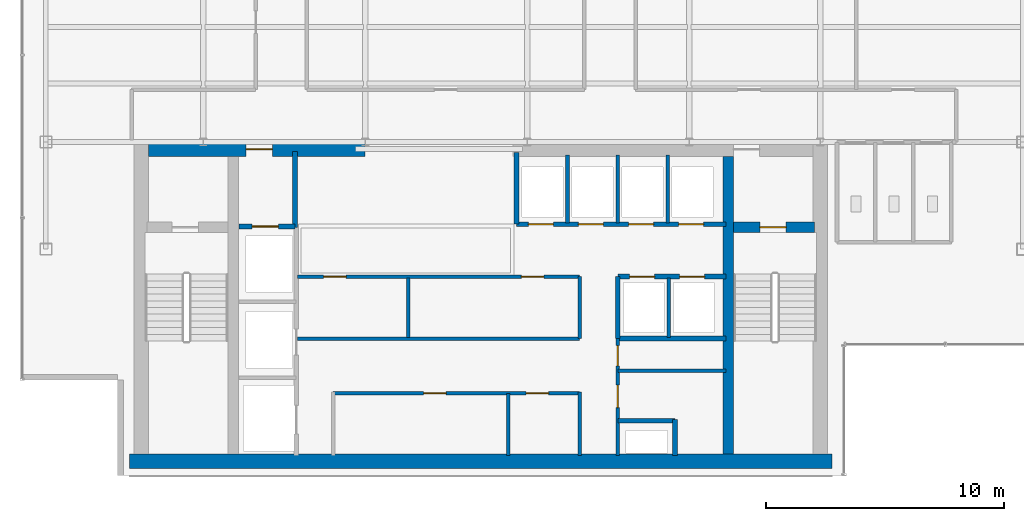
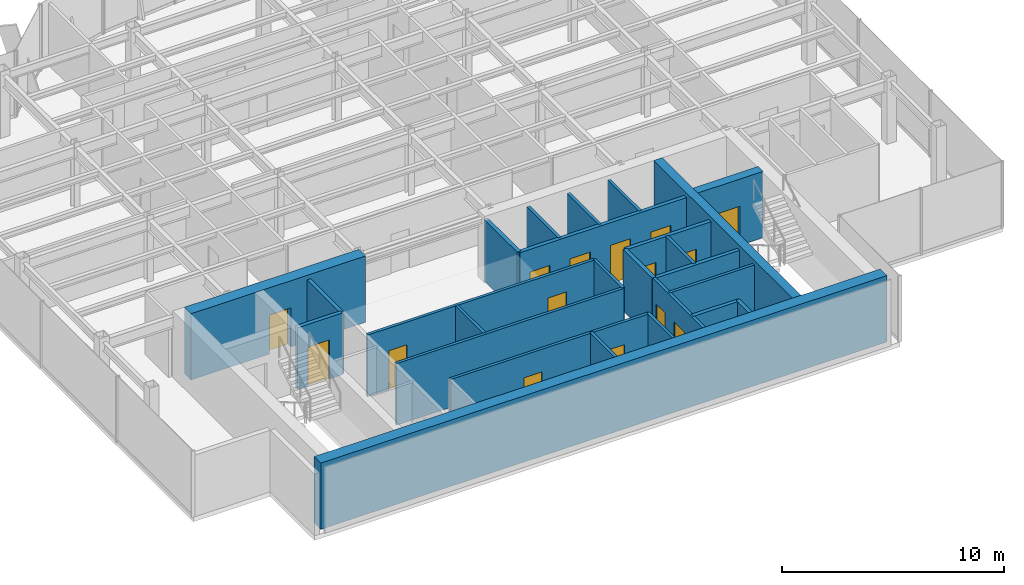
# One storey, part 17 of 22: 26 walls, 15 doors, 15 openings.
"""IFC4 building model written with IfcOpenShell, lengths in metres."""

from ifc_helpers import new_model, si_unit, derived_unit, direction, frame, frame_2d, origin, place, context, subcontext, project, spatial, rectangle, extrude, source, transform, mapped, material, layer, layer_set, type_object, element, fill, save


model = new_model("IFC4")

# Units and contexts
model_context = context("Model", 3, precision=1e-05, world=origin(), true_north=direction((0.0, 1.0)))
body_context = subcontext(model_context, "Body", "Model", "MODEL_VIEW")
ifc_project = project(units=[si_unit("LENGTHUNIT", "METRE"), si_unit("AREAUNIT", "SQUARE_METRE"), si_unit("VOLUMEUNIT", "CUBIC_METRE"), si_unit("PLANEANGLEUNIT", "RADIAN"), si_unit("MASSUNIT", "GRAM", prefix="KILO"), derived_unit("THERMALTRANSMITTANCEUNIT", [(si_unit("POWERUNIT", "WATT"), 1), (si_unit("LENGTHUNIT", "METRE"), -2), (si_unit("THERMODYNAMICTEMPERATUREUNIT", "KELVIN"), -1)])], contexts=[model_context])

# Site, building, storey
site_placement = place(None, origin())
site = spatial("IfcSite", under=ifc_project, at=site_placement, CompositionType="ELEMENT")
building_placement = place(site_placement, origin())
building = spatial("IfcBuilding", under=site, at=building_placement, Name="Skarnbrae Concourse Arena and Tower", CompositionType="ELEMENT")
storey_placement = place(building_placement, frame((0.0, 0.0, 277.050048828125)))
storey = spatial("IfcBuildingStorey", under=building, at=storey_placement, Name="L72", CompositionType="ELEMENT", Elevation=277.050048828125)

# Wall, opening, door
ifc_material_1 = material(Name="Concrete 50 MPa (C50/60)", Category="concrete")
ifc_layer_1 = layer(ifc_material_1, 0.449951171875)
ifc_layer_set_1 = layer_set([ifc_layer_1], Name="Concrete 50 MPa (C50/60)")
wall_type_1 = type_object("IfcWallType", Name="WALL-CORE-450-C50", PredefinedType="SHEAR", material=ifc_layer_set_1)
shared_shape_1 = source(origin(), body_context, "Body", "SweptSolid", [
    extrude(rectangle(XDim=3.389892578125, YDim=0.449951171875, at=frame_2d((1.69482421875, 0.0))), origin(), (0.0, 0.0, 1.0), 3.64990234375),
])
wall_1_placement = place(storey_placement, frame((29.860107421875, 10.419921875, 0.0), z_axis=(0.0, 0.0, 1.0), x_axis=(1.0, 0.0, 0.0)))
wall_1 = element("IfcWall", 1, at=wall_1_placement, inside=storey, type_object=wall_type_1, Name="L72 Rear core shear wall CW-ST2-N", PredefinedType="SHEAR", context=body_context, shape_type="MappedRepresentation", body=[
    mapped(shared_shape_1, transform((0.0, 0.0, 0.0))),
])
opening_1_placement = place(wall_1_placement, frame((1.10009765625, 0.0, 0.0)))
opening_1 = element("IfcOpeningElement", 2, at=opening_1_placement, cuts=wall_1, Name="Opening DT-03", PredefinedType="OPENING", context=body_context, shape_type="SweptSolid", body=[
    extrude(rectangle(XDim=1.10009765625, YDim=2.14990234375, at=frame_2d((0.550048828125, 1.074951171875))), frame((0.0, 0.23486328125, 0.0), z_axis=(0.0, -1.0, 0.0), x_axis=(1.0, 0.0, 0.0)), (0.0, 0.0, 1.0), 0.469970703125),
])
ifc_material_2 = material(Name="Steel CSA G40.21 350W", Category="steel")
door_type_1 = type_object("IfcDoorType", Name="DOOR-FIRE-1100-90M", OperationType="NOTDEFINED", PredefinedType="DOOR", material=ifc_material_2)
shared_shape_2 = source(origin(), body_context, "Body", "SweptSolid", [
    extrude(rectangle(XDim=1.10009765625, YDim=2.14990234375, at=frame_2d((0.550048828125, 1.074951171875))), frame((0.0, 0.02490234375, 0.0), z_axis=(0.0, -1.0, 0.0), x_axis=(1.0, 0.0, 0.0)), (0.0, 0.0, 1.0), 0.050048828125),
])
door_1_placement = place(opening_1_placement, frame((1.10009765625, 0.0, 0.0), z_axis=(0.0, 0.0, 1.0), x_axis=(-1.0, 0.0, 0.0)))
door_1 = element("IfcDoor", 3, at=door_1_placement, inside=storey, type_object=door_type_1, Name="D-2171 Stair ST-2 Door", OperationType="SINGLE_SWING_RIGHT", OverallHeight=2.14990234375, OverallWidth=1.10009765625, PredefinedType="DOOR", context=body_context, shape_type="MappedRepresentation", body=[
    mapped(shared_shape_2, transform((0.0, 0.0, 0.0))),
])
fill(opening_1, door_1)

# Wall
ifc_layer_2 = layer(ifc_material_1, 0.60009765625)
ifc_layer_set_2 = layer_set([ifc_layer_2], Name="Concrete 50 MPa (C50/60)")
wall_type_2 = type_object("IfcWallType", Name="WALL-CORE-600-C50", PredefinedType="SHEAR", material=ifc_layer_set_2)
shared_shape_3 = source(origin(), body_context, "Body", "SweptSolid", [
    extrude(rectangle(XDim=29.5, YDim=0.60009765625, at=frame_2d((14.75, 0.0))), origin(), (0.0, 0.0, 1.0), 3.64990234375),
])
wall_2_placement = place(storey_placement, frame((4.5, 0.60009765625, 0.0), z_axis=(0.0, 0.0, 1.0), x_axis=(1.0, 0.0, 0.0)))
element("IfcWall", 4, at=wall_2_placement, inside=storey, type_object=wall_type_2, Name="L72 Rear core shear wall CW-S", PredefinedType="SHEAR", context=body_context, shape_type="MappedRepresentation", body=[
    mapped(shared_shape_3, transform((0.0, 0.0, 0.0))),
])

# Wall, opening, door
shared_shape_4 = source(origin(), body_context, "Body", "SweptSolid", [
    extrude(rectangle(XDim=9.099853515625, YDim=0.60009765625, at=frame_2d((4.5498046875, 0.0))), origin(), (0.0, 0.0, 1.0), 3.64990234375),
])
wall_3_placement = place(storey_placement, frame((5.300048828125, 13.699951171875, 0.0), z_axis=(0.0, 0.0, 1.0), x_axis=(1.0, 0.0, 0.0)))
wall_3 = element("IfcWall", 5, at=wall_3_placement, inside=storey, type_object=wall_type_2, Name="L72 Rear core shear wall CW-NW", PredefinedType="SHEAR", context=body_context, shape_type="MappedRepresentation", body=[
    mapped(shared_shape_4, transform((0.0, 0.0, 0.0))),
])
opening_2_placement = place(wall_3_placement, frame((4.10009765625, 0.0, 0.0)))
opening_2 = element("IfcOpeningElement", 6, at=opening_2_placement, cuts=wall_3, Name="Opening DT-03", PredefinedType="OPENING", context=body_context, shape_type="SweptSolid", body=[
    extrude(rectangle(XDim=1.10009765625, YDim=2.14990234375, at=frame_2d((0.550048828125, 1.074951171875))), frame((0.0, 0.31005859375, 0.0), z_axis=(0.0, -1.0, 0.0), x_axis=(1.0, 0.0, 0.0)), (0.0, 0.0, 1.0), 0.6201171875),
])
door_2_placement = place(opening_2_placement, origin())
door_2 = element("IfcDoor", 7, at=door_2_placement, inside=storey, type_object=door_type_1, Name="D-2172 Firefighting Lobby Exit Door", OperationType="SINGLE_SWING_RIGHT", OverallHeight=2.14990234375, OverallWidth=1.10009765625, PredefinedType="DOOR", context=body_context, shape_type="MappedRepresentation", body=[
    mapped(shared_shape_2, transform((0.0, 0.0, 0.0))),
])
fill(opening_2, door_2)

# Walls
shared_shape_5 = source(origin(), body_context, "Body", "SweptSolid", [
    extrude(rectangle(XDim=12.5, YDim=0.449951171875, at=frame_2d((6.25, 0.0))), origin(), (0.0, 0.0, 1.0), 3.64990234375),
])
wall_4_placement = place(storey_placement, frame((29.635009765625, 0.89990234375, 0.0), z_axis=(0.0, 0.0, 1.0), x_axis=(0.0, 1.0, 0.0)))
element("IfcWall", 8, at=wall_4_placement, inside=storey, type_object=wall_type_1, Name="L72 Rear core shear wall CW-WEB-E", PredefinedType="SHEAR", context=body_context, shape_type="MappedRepresentation", body=[
    mapped(shared_shape_5, transform((0.0, 0.0, 0.0))),
])
ifc_material_3 = material(Name="Gypsum board on cold-formed steel studs", Category="steel")
ifc_layer_3 = layer(ifc_material_3, 0.199951171875)
ifc_layer_set_3 = layer_set([ifc_layer_3], Name="Gypsum board on cold-formed steel studs")
wall_type_3 = type_object("IfcWallType", Name="WALL-PART-200-2HR", PredefinedType="PARTITIONING", material=ifc_layer_set_3)
shared_shape_6 = source(origin(), body_context, "Body", "SweptSolid", [
    extrude(rectangle(XDim=3.18017578125, YDim=0.199951171875, at=frame_2d((1.590087890625, 0.0))), origin(), (0.0, 0.0, 1.0), 3.39990234375),
])
wall_5_placement = place(storey_placement, frame((11.449951171875, 10.419921875, 0.0), z_axis=(0.0, 0.0, 1.0), x_axis=(0.0, 1.0, 0.0)))
element("IfcWall", 9, at=wall_5_placement, inside=storey, type_object=wall_type_3, Name="L72 Interior partition wall W-L72-FFL-E", PredefinedType="PARTITIONING", context=body_context, shape_type="MappedRepresentation", body=[
    mapped(shared_shape_6, transform((0.0, 0.0, 0.0))),
])

# Wall, opening, door
shared_shape_7 = source(origin(), body_context, "Body", "SweptSolid", [
    extrude(rectangle(XDim=2.349853515625, YDim=0.199951171875, at=frame_2d((1.1748046875, 0.0))), origin(), (0.0, 0.0, 1.0), 3.39990234375),
])
wall_6_placement = place(storey_placement, frame((9.10009765625, 10.449951171875, 0.0), z_axis=(0.0, 0.0, 1.0), x_axis=(1.0, 0.0, 0.0)))
wall_6 = element("IfcWall", 10, at=wall_6_placement, inside=storey, type_object=wall_type_3, Name="L72 Interior partition wall W-L72-FL1-N", PredefinedType="PARTITIONING", context=body_context, shape_type="MappedRepresentation", body=[
    mapped(shared_shape_7, transform((0.0, 0.0, 0.0))),
])
opening_3_placement = place(wall_6_placement, frame((0.550048828125, 0.0, 0.0)))
opening_3 = element("IfcOpeningElement", 11, at=opening_3_placement, cuts=wall_6, Name="Opening LD-01", PredefinedType="OPENING", context=body_context, shape_type="SweptSolid", body=[
    extrude(rectangle(XDim=1.10009765625, YDim=2.14990234375, at=frame_2d((0.550048828125, 1.074951171875))), frame((0.0, 0.10986328125, 0.0), z_axis=(0.0, -1.0, 0.0), x_axis=(1.0, 0.0, 0.0)), (0.0, 0.0, 1.0), 0.219970703125),
])
door_type_2 = type_object("IfcDoorType", Name="DOOR-LIFT-SLIDE-1100", OperationType="SLIDING_TO_LEFT", PredefinedType="DOOR", material=ifc_material_2)
door_3_placement = place(opening_3_placement, origin())
door_3 = element("IfcDoor", 12, at=door_3_placement, inside=storey, type_object=door_type_2, Name="D-2174 Firefighting Lift Landing Door FL-01", OperationType="SLIDING_TO_LEFT", OverallHeight=2.14990234375, OverallWidth=1.10009765625, PredefinedType="DOOR", context=body_context, shape_type="MappedRepresentation", body=[
    mapped(shared_shape_2, transform((0.0, 0.0, 0.0))),
])
fill(opening_3, door_3)

# Walls
ifc_layer_4 = layer(ifc_material_3, 0.14990234375)
ifc_layer_set_4 = layer_set([ifc_layer_4], Name="Gypsum board on cold-formed steel studs")
wall_type_4 = type_object("IfcWallType", Name="WALL-PART-150", PredefinedType="PARTITIONING", material=ifc_layer_set_4)
shared_shape_8 = source(origin(), body_context, "Body", "SweptSolid", [
    extrude(rectangle(XDim=2.599853515625, YDim=0.14990234375, at=frame_2d((1.2998046875, 0.0))), origin(), (0.0, 0.0, 1.0), 3.39990234375),
])
wall_7_placement = place(storey_placement, frame((20.39990234375, 0.85009765625, 0.0), z_axis=(0.0, 0.0, 1.0), x_axis=(0.0, 1.0, 0.0)))
element("IfcWall", 13, at=wall_7_placement, inside=storey, type_object=wall_type_4, Name="L72 Interior partition wall W-L72-B1M-C1", PredefinedType="PARTITIONING", context=body_context, shape_type="MappedRepresentation", body=[
    mapped(shared_shape_8, transform((0.0, 0.0, 0.0))),
])
shared_shape_9 = source(origin(), body_context, "Body", "SweptSolid", [
    extrude(rectangle(XDim=2.60009765625, YDim=0.199951171875, at=frame_2d((1.300048828125, 0.0))), origin(), (0.0, 0.0, 1.0), 3.39990234375),
])
wall_8_placement = place(storey_placement, frame((25.0, 5.75, 0.0), z_axis=(0.0, 0.0, 1.0), x_axis=(0.0, 1.0, 0.0)))
element("IfcWall", 14, at=wall_8_placement, inside=storey, type_object=wall_type_3, Name="L72 Interior partition wall W-L72-B3S-W", PredefinedType="PARTITIONING", context=body_context, shape_type="MappedRepresentation", body=[
    mapped(shared_shape_9, transform((0.0, 0.0, 0.0))),
])
shared_shape_10 = source(origin(), body_context, "Body", "SweptSolid", [
    extrude(rectangle(XDim=2.5, YDim=0.14990234375, at=frame_2d((1.25, 0.0))), origin(), (0.0, 0.0, 1.0), 3.39990234375),
])
for number, where, z_axis, x_axis, name in (
    (15, (16.199951171875, 5.800048828125, 0.0), (0.0, 0.0, 1.0), (0.0, 1.0, 0.0), "L72 Interior partition wall W-L72-B2M-MID"),
    (16, (27.139892578125, 5.800048828125, 0.0), (0.0, 0.0, 1.0), (0.0, 1.0, 0.0), "L72 Interior partition wall W-L72-B3S-P1"),
):
    element("IfcWall", number, at=place(storey_placement, frame(where, z_axis=z_axis, x_axis=x_axis)), inside=storey, type_object=wall_type_4, Name=name, PredefinedType="PARTITIONING", context=body_context, shape_type="MappedRepresentation", body=[
        mapped(shared_shape_10, transform((0.0, 0.0, 0.0))),
    ])

# Wall, openings, doors
shared_shape_11 = source(origin(), body_context, "Body", "SweptSolid", [
    extrude(rectangle(XDim=8.800048828125, YDim=0.199951171875, at=frame_2d((4.39990234375, 0.0))), origin(), (0.0, 0.0, 1.0), 3.39990234375),
])
wall_9_placement = place(storey_placement, frame((20.75, 10.550048828125, 0.0), z_axis=(0.0, 0.0, 1.0), x_axis=(1.0, 0.0, 0.0)))
wall_9 = element("IfcWall", 17, at=wall_9_placement, inside=storey, type_object=wall_type_3, Name="L72 Interior partition wall W-L72-B3N-S", PredefinedType="PARTITIONING", context=body_context, shape_type="MappedRepresentation", body=[
    mapped(shared_shape_11, transform((0.0, 0.0, 0.0))),
])
opening_4_placement = place(wall_9_placement, frame((0.5, 0.0, 0.0)))
opening_4 = element("IfcOpeningElement", 18, at=opening_4_placement, cuts=wall_9, Name="Opening LD-04", PredefinedType="OPENING", context=body_context, shape_type="SweptSolid", body=[
    extrude(rectangle(XDim=1.050048828125, YDim=2.14990234375, at=frame_2d((0.52490234375, 1.074951171875))), frame((0.0, 0.10986328125, 0.0), z_axis=(0.0, -1.0, 0.0), x_axis=(1.0, 0.0, 0.0)), (0.0, 0.0, 1.0), 0.219970703125),
])
opening_5_placement = place(wall_9_placement, frame((2.60009765625, 0.0, 0.0)))
opening_5 = element("IfcOpeningElement", 19, at=opening_5_placement, cuts=wall_9, Name="Opening LD-04", PredefinedType="OPENING", context=body_context, shape_type="SweptSolid", body=[
    extrude(rectangle(XDim=1.050048828125, YDim=2.14990234375, at=frame_2d((0.52490234375, 1.074951171875))), frame((0.0, 0.10986328125, 0.0), z_axis=(0.0, -1.0, 0.0), x_axis=(1.0, 0.0, 0.0)), (0.0, 0.0, 1.0), 0.219970703125),
])
opening_6_placement = place(wall_9_placement, frame((4.699951171875, 0.0, 0.0)))
opening_6 = element("IfcOpeningElement", 20, at=opening_6_placement, cuts=wall_9, Name="Opening LD-04", PredefinedType="OPENING", context=body_context, shape_type="SweptSolid", body=[
    extrude(rectangle(XDim=1.050048828125, YDim=2.14990234375, at=frame_2d((0.52490234375, 1.074951171875))), frame((0.0, 0.10986328125, 0.0), z_axis=(0.0, -1.0, 0.0), x_axis=(1.0, 0.0, 0.0)), (0.0, 0.0, 1.0), 0.219970703125),
])
opening_7_placement = place(wall_9_placement, frame((6.800048828125, 0.0, 0.0)))
opening_7 = element("IfcOpeningElement", 21, at=opening_7_placement, cuts=wall_9, Name="Opening LD-04", PredefinedType="OPENING", context=body_context, shape_type="SweptSolid", body=[
    extrude(rectangle(XDim=1.050048828125, YDim=2.14990234375, at=frame_2d((0.52490234375, 1.074951171875))), frame((0.0, 0.10986328125, 0.0), z_axis=(0.0, -1.0, 0.0), x_axis=(1.0, 0.0, 0.0)), (0.0, 0.0, 1.0), 0.219970703125),
])
ifc_material_4 = material(Name="Bronze anodised aluminium 6063-T6", Category="aluminium")
door_type_3 = type_object("IfcDoorType", Name="DOOR-LIFT-SLIDE-1050H", OperationType="SLIDING_TO_LEFT", PredefinedType="DOOR", material=ifc_material_4)
shared_shape_12 = source(origin(), body_context, "Body", "SweptSolid", [
    extrude(rectangle(XDim=1.050048828125, YDim=2.14990234375, at=frame_2d((0.52490234375, 1.074951171875))), frame((0.0, 0.02490234375, 0.0), z_axis=(0.0, -1.0, 0.0), x_axis=(1.0, 0.0, 0.0)), (0.0, 0.0, 1.0), 0.050048828125),
])
door_4_placement = place(opening_4_placement, frame((1.050048828125, 0.0, 0.0), z_axis=(0.0, 0.0, 1.0), x_axis=(-1.0, 0.0, 0.0)))
door_4 = element("IfcDoor", 22, at=door_4_placement, inside=storey, type_object=door_type_3, Name="D-2181 Passenger Lift Landing Door PL-3A", OperationType="SLIDING_TO_LEFT", OverallHeight=2.14990234375, OverallWidth=1.050048828125, PredefinedType="DOOR", context=body_context, shape_type="MappedRepresentation", body=[
    mapped(shared_shape_12, transform((0.0, 0.0, 0.0))),
])
fill(opening_4, door_4)
door_5_placement = place(opening_5_placement, frame((1.050048828125, 0.0, 0.0), z_axis=(0.0, 0.0, 1.0), x_axis=(-1.0, 0.0, 0.0)))
door_5 = element("IfcDoor", 23, at=door_5_placement, inside=storey, type_object=door_type_3, Name="D-2182 Passenger Lift Landing Door PL-3B", OperationType="SLIDING_TO_LEFT", OverallHeight=2.14990234375, OverallWidth=1.050048828125, PredefinedType="DOOR", context=body_context, shape_type="MappedRepresentation", body=[
    mapped(shared_shape_12, transform((0.0, 0.0, 0.0))),
])
fill(opening_5, door_5)
door_6_placement = place(opening_6_placement, frame((1.050048828125, 0.0, 0.0), z_axis=(0.0, 0.0, 1.0), x_axis=(-1.0, 0.0, 0.0)))
door_6 = element("IfcDoor", 24, at=door_6_placement, inside=storey, type_object=door_type_3, Name="D-2183 Passenger Lift Landing Door PL-3C", OperationType="SLIDING_TO_LEFT", OverallHeight=2.14990234375, OverallWidth=1.050048828125, PredefinedType="DOOR", context=body_context, shape_type="MappedRepresentation", body=[
    mapped(shared_shape_12, transform((0.0, 0.0, 0.0))),
])
fill(opening_6, door_6)
door_7_placement = place(opening_7_placement, frame((1.050048828125, 0.0, 0.0), z_axis=(0.0, 0.0, 1.0), x_axis=(-1.0, 0.0, 0.0)))
door_7 = element("IfcDoor", 25, at=door_7_placement, inside=storey, type_object=door_type_3, Name="D-2184 Passenger Lift Landing Door PL-3D", OperationType="SLIDING_TO_LEFT", OverallHeight=2.14990234375, OverallWidth=1.050048828125, PredefinedType="DOOR", context=body_context, shape_type="MappedRepresentation", body=[
    mapped(shared_shape_12, transform((0.0, 0.0, 0.0))),
])
fill(opening_7, door_7)

# Walls
shared_shape_13 = source(origin(), body_context, "Body", "SweptSolid", [
    extrude(rectangle(XDim=3.0, YDim=0.199951171875, at=frame_2d((1.5, 0.0))), origin(), (0.0, 0.0, 1.0), 3.39990234375),
])
wall_10_placement = place(storey_placement, frame((20.75, 10.550048828125, 0.0), z_axis=(0.0, 0.0, 1.0), x_axis=(0.0, 1.0, 0.0)))
element("IfcWall", 26, at=wall_10_placement, inside=storey, type_object=wall_type_3, Name="L72 Interior partition wall W-L72-B3N-W", PredefinedType="PARTITIONING", context=body_context, shape_type="MappedRepresentation", body=[
    mapped(shared_shape_13, transform((0.0, 0.0, 0.0))),
])
shared_shape_14 = source(origin(), body_context, "Body", "SweptSolid", [
    extrude(rectangle(XDim=2.849853515625, YDim=0.14990234375, at=frame_2d((1.4248046875, 0.0))), origin(), (0.0, 0.0, 1.0), 3.39990234375),
])
for number, where, z_axis, x_axis, name in (
    (27, (22.889892578125, 10.60009765625, 0.0), (0.0, 0.0, 1.0), (0.0, 1.0, 0.0), "L72 Interior partition wall W-L72-B3N-P1"),
    (28, (24.989990234375, 10.60009765625, 0.0), (0.0, 0.0, 1.0), (0.0, 1.0, 0.0), "L72 Interior partition wall W-L72-B3N-P2"),
    (29, (27.090087890625, 10.60009765625, 0.0), (0.0, 0.0, 1.0), (0.0, 1.0, 0.0), "L72 Interior partition wall W-L72-B3N-P3"),
):
    element("IfcWall", number, at=place(storey_placement, frame(where, z_axis=z_axis, x_axis=x_axis)), inside=storey, type_object=wall_type_4, Name=name, PredefinedType="PARTITIONING", context=body_context, shape_type="MappedRepresentation", body=[
        mapped(shared_shape_14, transform((0.0, 0.0, 0.0))),
    ])

# Wall, openings, doors
shared_shape_15 = source(origin(), body_context, "Body", "SweptSolid", [
    extrude(rectangle(XDim=4.550048828125, YDim=0.199951171875, at=frame_2d((2.27490234375, 0.0))), origin(), (0.0, 0.0, 1.0), 3.39990234375),
])
wall_11_placement = place(storey_placement, frame((25.0, 8.35009765625, 0.0), z_axis=(0.0, 0.0, 1.0), x_axis=(1.0, 0.0, 0.0)))
wall_11 = element("IfcWall", 30, at=wall_11_placement, inside=storey, type_object=wall_type_3, Name="L72 Interior partition wall W-L72-B3S-N", PredefinedType="PARTITIONING", context=body_context, shape_type="MappedRepresentation", body=[
    mapped(shared_shape_15, transform((0.0, 0.0, 0.0))),
])
opening_8_placement = place(wall_11_placement, frame((0.5, 0.0, 0.0)))
opening_8 = element("IfcOpeningElement", 31, at=opening_8_placement, cuts=wall_11, Name="Opening LD-04", PredefinedType="OPENING", context=body_context, shape_type="SweptSolid", body=[
    extrude(rectangle(XDim=1.050048828125, YDim=2.14990234375, at=frame_2d((0.52490234375, 1.074951171875))), frame((0.0, 0.10986328125, 0.0), z_axis=(0.0, -1.0, 0.0), x_axis=(1.0, 0.0, 0.0)), (0.0, 0.0, 1.0), 0.219970703125),
])
opening_9_placement = place(wall_11_placement, frame((2.60009765625, 0.0, 0.0)))
opening_9 = element("IfcOpeningElement", 32, at=opening_9_placement, cuts=wall_11, Name="Opening LD-04", PredefinedType="OPENING", context=body_context, shape_type="SweptSolid", body=[
    extrude(rectangle(XDim=1.050048828125, YDim=2.14990234375, at=frame_2d((0.52490234375, 1.074951171875))), frame((0.0, 0.10986328125, 0.0), z_axis=(0.0, -1.0, 0.0), x_axis=(1.0, 0.0, 0.0)), (0.0, 0.0, 1.0), 0.219970703125),
])
door_8_placement = place(opening_8_placement, origin())
door_8 = element("IfcDoor", 33, at=door_8_placement, inside=storey, type_object=door_type_3, Name="D-2185 Passenger Lift Landing Door PL-3E", OperationType="SLIDING_TO_LEFT", OverallHeight=2.14990234375, OverallWidth=1.050048828125, PredefinedType="DOOR", context=body_context, shape_type="MappedRepresentation", body=[
    mapped(shared_shape_12, transform((0.0, 0.0, 0.0))),
])
fill(opening_8, door_8)
door_9_placement = place(opening_9_placement, origin())
door_9 = element("IfcDoor", 34, at=door_9_placement, inside=storey, type_object=door_type_3, Name="D-2186 Passenger Lift Landing Door PL-3F", OperationType="SLIDING_TO_LEFT", OverallHeight=2.14990234375, OverallWidth=1.050048828125, PredefinedType="DOOR", context=body_context, shape_type="MappedRepresentation", body=[
    mapped(shared_shape_12, transform((0.0, 0.0, 0.0))),
])
fill(opening_9, door_9)

# Wall
wall_12_placement = place(storey_placement, frame((25.0, 5.75, 0.0), z_axis=(0.0, 0.0, 1.0), x_axis=(1.0, 0.0, 0.0)))
element("IfcWall", 35, at=wall_12_placement, inside=storey, type_object=wall_type_3, Name="L72 Interior partition wall W-L72-B3S-S", PredefinedType="PARTITIONING", context=body_context, shape_type="MappedRepresentation", body=[
    mapped(shared_shape_15, transform((0.0, 0.0, 0.0))),
])

# Wall, openings, doors
ifc_layer_5 = layer(ifc_material_3, 0.14990234375)
ifc_layer_set_5 = layer_set([ifc_layer_5], Name="Gypsum board on cold-formed steel studs")
wall_type_5 = type_object("IfcWallType", Name="WALL-PART-150-1HR", PredefinedType="PARTITIONING", material=ifc_layer_set_5)
shared_shape_16 = source(origin(), body_context, "Body", "SweptSolid", [
    extrude(rectangle(XDim=4.89990234375, YDim=0.14990234375, at=frame_2d((2.449951171875, 0.0))), origin(), (0.0, 0.0, 1.0), 3.39990234375),
])
wall_13_placement = place(storey_placement, frame((25.0, 0.85009765625, 0.0), z_axis=(0.0, 0.0, 1.0), x_axis=(0.0, 1.0, 0.0)))
wall_13 = element("IfcWall", 36, at=wall_13_placement, inside=storey, type_object=wall_type_5, Name="L72 Interior partition wall W-L72-CSV-W", PredefinedType="PARTITIONING", context=body_context, shape_type="MappedRepresentation", body=[
    mapped(shared_shape_16, transform((0.0, 0.0, 0.0))),
])
opening_10_placement = place(wall_13_placement, frame((2.0, 0.0, 0.0)))
opening_10 = element("IfcOpeningElement", 37, at=opening_10_placement, cuts=wall_13, Name="Opening DT-04", PredefinedType="OPENING", context=body_context, shape_type="SweptSolid", body=[
    extrude(rectangle(XDim=0.949951171875, YDim=2.14990234375, at=frame_2d((0.47509765625, 1.074951171875))), frame((0.0, 0.0849609375, 0.0), z_axis=(0.0, -1.0, 0.0), x_axis=(1.0, 0.0, 0.0)), (0.0, 0.0, 1.0), 0.169921875),
])
opening_11_placement = place(wall_13_placement, frame((3.75, 0.0, 0.0)))
opening_11 = element("IfcOpeningElement", 38, at=opening_11_placement, cuts=wall_13, Name="Opening DT-08", PredefinedType="OPENING", context=body_context, shape_type="SweptSolid", body=[
    extrude(rectangle(XDim=0.85009765625, YDim=2.14990234375, at=frame_2d((0.425048828125, 1.074951171875))), frame((0.0, 0.0849609375, 0.0), z_axis=(0.0, -1.0, 0.0), x_axis=(1.0, 0.0, 0.0)), (0.0, 0.0, 1.0), 0.169921875),
])
door_type_4 = type_object("IfcDoorType", Name="DOOR-INT-950-45M", OperationType="NOTDEFINED", PredefinedType="DOOR", material=ifc_material_2)
shared_shape_17 = source(origin(), body_context, "Body", "SweptSolid", [
    extrude(rectangle(XDim=0.949951171875, YDim=2.14990234375, at=frame_2d((0.47509765625, 1.074951171875))), frame((0.0, 0.02490234375, 0.0), z_axis=(0.0, -1.0, 0.0), x_axis=(1.0, 0.0, 0.0)), (0.0, 0.0, 1.0), 0.050048828125),
])
door_10_placement = place(opening_10_placement, origin())
door_10 = element("IfcDoor", 39, at=door_10_placement, inside=storey, type_object=door_type_4, Name="D-2187 Telemetry Room Door", OperationType="SINGLE_SWING_LEFT", OverallHeight=2.14990234375, OverallWidth=0.949951171875, PredefinedType="DOOR", context=body_context, shape_type="MappedRepresentation", body=[
    mapped(shared_shape_17, transform((0.0, 0.0, 0.0))),
])
fill(opening_10, door_10)
door_type_5 = type_object("IfcDoorType", Name="DOOR-INT-850-45M", OperationType="NOTDEFINED", PredefinedType="DOOR", material=ifc_material_2)
shared_shape_18 = source(origin(), body_context, "Body", "SweptSolid", [
    extrude(rectangle(XDim=0.85009765625, YDim=2.14990234375, at=frame_2d((0.425048828125, 1.074951171875))), frame((0.0, 0.02490234375, 0.0), z_axis=(0.0, -1.0, 0.0), x_axis=(1.0, 0.0, 0.0)), (0.0, 0.0, 1.0), 0.050048828125),
])
door_11_placement = place(opening_11_placement, origin())
door_11 = element("IfcDoor", 40, at=door_11_placement, inside=storey, type_object=door_type_5, Name="D-2188 Recycling Room Door", OperationType="SINGLE_SWING_RIGHT", OverallHeight=2.14990234375, OverallWidth=0.85009765625, PredefinedType="DOOR", context=body_context, shape_type="MappedRepresentation", body=[
    mapped(shared_shape_18, transform((0.0, 0.0, 0.0))),
])
fill(opening_11, door_11)

# Walls
shared_shape_19 = source(origin(), body_context, "Body", "SweptSolid", [
    extrude(rectangle(XDim=2.39990234375, YDim=0.199951171875, at=frame_2d((1.199951171875, 0.0))), origin(), (0.0, 0.0, 1.0), 3.39990234375),
])
wall_14_placement = place(storey_placement, frame((25.0, 2.300048828125, 0.0), z_axis=(0.0, 0.0, 1.0), x_axis=(1.0, 0.0, 0.0)))
element("IfcWall", 41, at=wall_14_placement, inside=storey, type_object=wall_type_3, Name="L72 Interior partition wall W-L72-MEP-N", PredefinedType="PARTITIONING", context=body_context, shape_type="MappedRepresentation", body=[
    mapped(shared_shape_19, transform((0.0, 0.0, 0.0))),
])
shared_shape_20 = source(origin(), body_context, "Body", "SweptSolid", [
    extrude(rectangle(XDim=1.5, YDim=0.199951171875, at=frame_2d((0.75, 0.0))), origin(), (0.0, 0.0, 1.0), 3.39990234375),
])
wall_15_placement = place(storey_placement, frame((27.39990234375, 0.85009765625, 0.0), z_axis=(0.0, 0.0, 1.0), x_axis=(0.0, 1.0, 0.0)))
element("IfcWall", 42, at=wall_15_placement, inside=storey, type_object=wall_type_3, Name="L72 Interior partition wall W-L72-MEP-E", PredefinedType="PARTITIONING", context=body_context, shape_type="MappedRepresentation", body=[
    mapped(shared_shape_20, transform((0.0, 0.0, 0.0))),
])
shared_shape_21 = source(origin(), body_context, "Body", "SweptSolid", [
    extrude(rectangle(XDim=4.550048828125, YDim=0.14990234375, at=frame_2d((2.27490234375, 0.0))), origin(), (0.0, 0.0, 1.0), 3.39990234375),
])
wall_16_placement = place(storey_placement, frame((25.0, 4.39990234375, 0.0), z_axis=(0.0, 0.0, 1.0), x_axis=(1.0, 0.0, 0.0)))
element("IfcWall", 43, at=wall_16_placement, inside=storey, type_object=wall_type_4, Name="L72 Interior partition wall W-L72-CSV-H", PredefinedType="PARTITIONING", context=body_context, shape_type="MappedRepresentation", body=[
    mapped(shared_shape_21, transform((0.0, 0.0, 0.0))),
])
shared_shape_22 = source(origin(), body_context, "Body", "SweptSolid", [
    extrude(rectangle(XDim=2.64990234375, YDim=0.14990234375, at=frame_2d((1.324951171875, 0.0))), origin(), (0.0, 0.0, 1.0), 3.39990234375),
])
wall_17_placement = place(storey_placement, frame((23.39990234375, 0.85009765625, 0.0), z_axis=(0.0, 0.0, 1.0), x_axis=(0.0, 1.0, 0.0)))
element("IfcWall", 44, at=wall_17_placement, inside=storey, type_object=wall_type_5, Name="L72 Interior partition wall W-L72-B1M-E", PredefinedType="PARTITIONING", context=body_context, shape_type="MappedRepresentation", body=[
    mapped(shared_shape_22, transform((0.0, 0.0, 0.0))),
])

# Wall, openings, doors
shared_shape_23 = source(origin(), body_context, "Body", "SweptSolid", [
    extrude(rectangle(XDim=10.349853515625, YDim=0.14990234375, at=frame_2d((5.1748046875, 0.0))), origin(), (0.0, 0.0, 1.0), 3.39990234375),
])
wall_18_placement = place(storey_placement, frame((13.050048828125, 3.449951171875, 0.0), z_axis=(0.0, 0.0, 1.0), x_axis=(1.0, 0.0, 0.0)))
wall_18 = element("IfcWall", 45, at=wall_18_placement, inside=storey, type_object=wall_type_5, Name="L72 Interior partition wall W-L72-B1M-N", PredefinedType="PARTITIONING", context=body_context, shape_type="MappedRepresentation", body=[
    mapped(shared_shape_23, transform((0.0, 0.0, 0.0))),
])
opening_12_placement = place(wall_18_placement, frame((3.800048828125, 0.0, 0.0)))
opening_12 = element("IfcOpeningElement", 46, at=opening_12_placement, cuts=wall_18, Name="Opening DT-04", PredefinedType="OPENING", context=body_context, shape_type="SweptSolid", body=[
    extrude(rectangle(XDim=0.949951171875, YDim=2.14990234375, at=frame_2d((0.47509765625, 1.074951171875))), frame((0.0, 0.0849609375, 0.0), z_axis=(0.0, -1.0, 0.0), x_axis=(1.0, 0.0, 0.0)), (0.0, 0.0, 1.0), 0.169921875),
])
opening_13_placement = place(wall_18_placement, frame((8.10009765625, 0.0, 0.0)))
opening_13 = element("IfcOpeningElement", 47, at=opening_13_placement, cuts=wall_18, Name="Opening DT-04", PredefinedType="OPENING", context=body_context, shape_type="SweptSolid", body=[
    extrude(rectangle(XDim=0.949951171875, YDim=2.14990234375, at=frame_2d((0.47509765625, 1.074951171875))), frame((0.0, 0.0849609375, 0.0), z_axis=(0.0, -1.0, 0.0), x_axis=(1.0, 0.0, 0.0)), (0.0, 0.0, 1.0), 0.169921875),
])
door_12_placement = place(opening_12_placement, origin())
door_12 = element("IfcDoor", 48, at=door_12_placement, inside=storey, type_object=door_type_4, Name="D-2177 Staff Locker Door", OperationType="SINGLE_SWING_LEFT", OverallHeight=2.14990234375, OverallWidth=0.949951171875, PredefinedType="DOOR", context=body_context, shape_type="MappedRepresentation", body=[
    mapped(shared_shape_17, transform((0.0, 0.0, 0.0))),
])
fill(opening_12, door_12)
door_13_placement = place(opening_13_placement, origin())
door_13 = element("IfcDoor", 49, at=door_13_placement, inside=storey, type_object=door_type_4, Name="D-2178 Janitor Store Door", OperationType="SINGLE_SWING_RIGHT", OverallHeight=2.14990234375, OverallWidth=0.949951171875, PredefinedType="DOOR", context=body_context, shape_type="MappedRepresentation", body=[
    mapped(shared_shape_17, transform((0.0, 0.0, 0.0))),
])
fill(opening_13, door_13)

# Wall
shared_shape_24 = source(origin(), body_context, "Body", "SweptSolid", [
    extrude(rectangle(XDim=11.849853515625, YDim=0.14990234375, at=frame_2d((5.9248046875, 0.0))), origin(), (0.0, 0.0, 1.0), 3.39990234375),
])
wall_19_placement = place(storey_placement, frame((11.550048828125, 5.75, 0.0), z_axis=(0.0, 0.0, 1.0), x_axis=(1.0, 0.0, 0.0)))
element("IfcWall", 50, at=wall_19_placement, inside=storey, type_object=wall_type_5, Name="L72 Interior partition wall W-L72-B2M-S", PredefinedType="PARTITIONING", context=body_context, shape_type="MappedRepresentation", body=[
    mapped(shared_shape_24, transform((0.0, 0.0, 0.0))),
])

# Wall, openings, doors
wall_20_placement = place(storey_placement, frame((11.550048828125, 8.35009765625, 0.0), z_axis=(0.0, 0.0, 1.0), x_axis=(1.0, 0.0, 0.0)))
wall_20 = element("IfcWall", 51, at=wall_20_placement, inside=storey, type_object=wall_type_5, Name="L72 Interior partition wall W-L72-B2M-N", PredefinedType="PARTITIONING", context=body_context, shape_type="MappedRepresentation", body=[
    mapped(shared_shape_24, transform((0.0, 0.0, 0.0))),
])
opening_14_placement = place(wall_20_placement, frame((1.10009765625, 0.0, 0.0)))
opening_14 = element("IfcOpeningElement", 52, at=opening_14_placement, cuts=wall_20, Name="Opening DT-04", PredefinedType="OPENING", context=body_context, shape_type="SweptSolid", body=[
    extrude(rectangle(XDim=0.949951171875, YDim=2.14990234375, at=frame_2d((0.47509765625, 1.074951171875))), frame((0.0, 0.0849609375, 0.0), z_axis=(0.0, -1.0, 0.0), x_axis=(1.0, 0.0, 0.0)), (0.0, 0.0, 1.0), 0.169921875),
])
opening_15_placement = place(wall_20_placement, frame((9.39990234375, 0.0, 0.0)))
opening_15 = element("IfcOpeningElement", 53, at=opening_15_placement, cuts=wall_20, Name="Opening DT-04", PredefinedType="OPENING", context=body_context, shape_type="SweptSolid", body=[
    extrude(rectangle(XDim=0.949951171875, YDim=2.14990234375, at=frame_2d((0.47509765625, 1.074951171875))), frame((0.0, 0.0849609375, 0.0), z_axis=(0.0, -1.0, 0.0), x_axis=(1.0, 0.0, 0.0)), (0.0, 0.0, 1.0), 0.169921875),
])
door_14_placement = place(opening_14_placement, origin())
door_14 = element("IfcDoor", 54, at=door_14_placement, inside=storey, type_object=door_type_4, Name="D-2179 High-Zone Data Door", OperationType="SINGLE_SWING_RIGHT", OverallHeight=2.14990234375, OverallWidth=0.949951171875, PredefinedType="DOOR", context=body_context, shape_type="MappedRepresentation", body=[
    mapped(shared_shape_17, transform((0.0, 0.0, 0.0))),
])
fill(opening_14, door_14)
door_15_placement = place(opening_15_placement, origin())
door_15 = element("IfcDoor", 55, at=door_15_placement, inside=storey, type_object=door_type_4, Name="D-2180 Reprographics Door", OperationType="SINGLE_SWING_LEFT", OverallHeight=2.14990234375, OverallWidth=0.949951171875, PredefinedType="DOOR", context=body_context, shape_type="MappedRepresentation", body=[
    mapped(shared_shape_17, transform((0.0, 0.0, 0.0))),
])
fill(opening_15, door_15)

# Wall
shared_shape_25 = source(origin(), body_context, "Body", "SweptSolid", [
    extrude(rectangle(XDim=2.60009765625, YDim=0.14990234375, at=frame_2d((1.300048828125, 0.0))), origin(), (0.0, 0.0, 1.0), 3.39990234375),
])
wall_21_placement = place(storey_placement, frame((23.39990234375, 5.75, 0.0), z_axis=(0.0, 0.0, 1.0), x_axis=(0.0, 1.0, 0.0)))
element("IfcWall", 56, at=wall_21_placement, inside=storey, type_object=wall_type_5, Name="L72 Interior partition wall W-L72-B2M-E", PredefinedType="PARTITIONING", context=body_context, shape_type="MappedRepresentation", body=[
    mapped(shared_shape_25, transform((0.0, 0.0, 0.0))),
])

save(model, "model.ifc")
